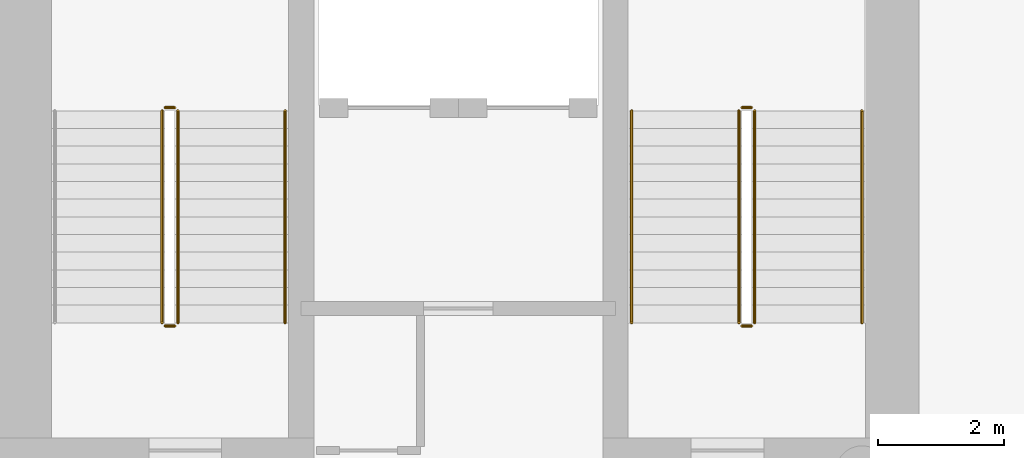
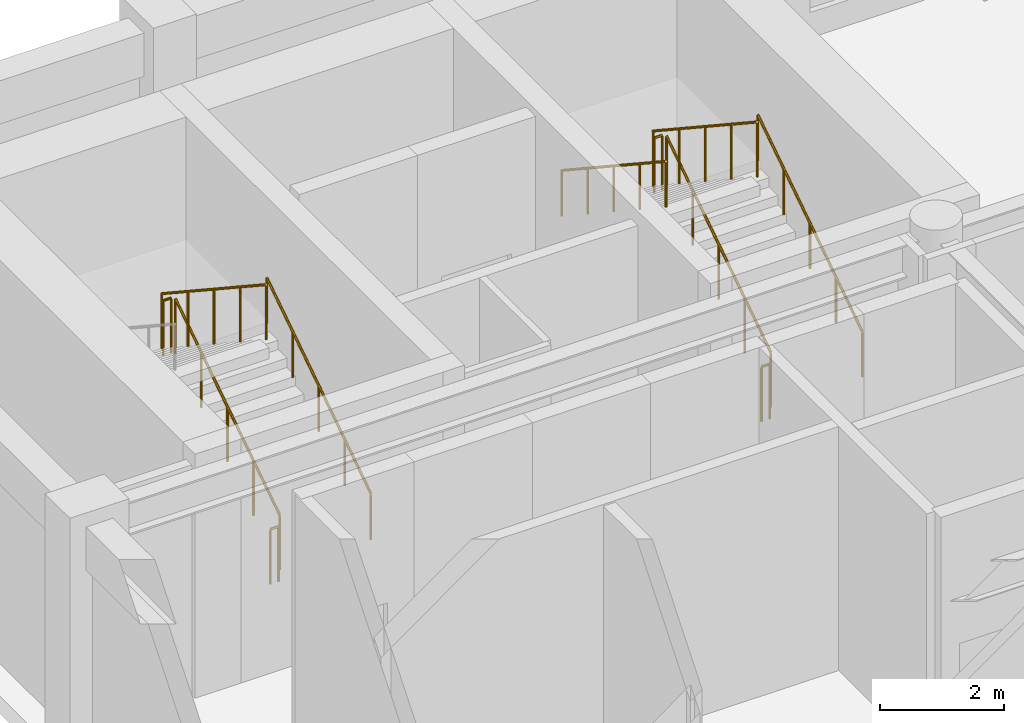
# One storey, part 9 of 10: 11 railings.
"""IFC4 building model written with IfcOpenShell, lengths in metres."""

from ifc_helpers import new_model, si_unit, direction, frame, origin, origin_2d, place, context, subcontext, project, spatial, circle, extrude, material, type_object, element, save


model = new_model("IFC4")

# Units and contexts
model_context = context("Model", 3, precision=1e-05, world=origin(), true_north=direction((0.0, 1.0)))
body_context = subcontext(model_context, "Body", "Model", "MODEL_VIEW")
ifc_project = project(units=[si_unit("LENGTHUNIT", "METRE"), si_unit("AREAUNIT", "SQUARE_METRE"), si_unit("VOLUMEUNIT", "CUBIC_METRE"), si_unit("PLANEANGLEUNIT", "RADIAN"), si_unit("MASSUNIT", "GRAM", prefix="KILO")], contexts=[model_context])

# Site, building, storey
site_placement = place(None, origin())
site = spatial("IfcSite", under=ifc_project, at=site_placement, CompositionType="ELEMENT")
building_placement = place(site_placement, origin())
building = spatial("IfcBuilding", under=site, at=building_placement, Name="Sulina Concourse Tower", CompositionType="ELEMENT")
storey_placement = place(building_placement, frame((0.0, 0.0, 165.800048828125)))
storey = spatial("IfcBuildingStorey", under=building, at=storey_placement, Name="L40", CompositionType="ELEMENT", Elevation=165.800048828125)

# Railings
ifc_material_1 = material(Name="Galvanised steel railing", Category="steel")
railing_type_1 = type_object("IfcRailingType", Name="Core Stair Steel Guardrail 1150mm", PredefinedType="GUARDRAIL", material=ifc_material_1)
railing_1_placement = place(storey_placement, frame((5.554931640625, 36.375, 0.1845703125)))
element("IfcRailing", 1, at=railing_1_placement, inside=storey, type_object=railing_type_1, Name="L40 ST-1 stair guard 1", PredefinedType="GUARDRAIL", context=body_context, shape_type="SweptSolid", body=[
    extrude(circle(Radius=0.02392578125, at=origin_2d()), frame((0.0, 0.0, 1.076171875), z_axis=(0.0, 0.834876476806, 0.550437342915), x_axis=(-1.0, 0.0, 0.0)), (0.0, 0.0, 1.0), 4.024658203125),
    extrude(circle(Radius=0.02099609375, at=origin_2d()), origin(), (0.0, 0.0, 1.0), 1.052001953125),
    extrude(circle(Radius=0.02099609375, at=origin_2d()), frame((0.0, 0.840087890625, 0.5537109375)), (0.0, 0.0, 1.0), 1.052001953125),
    extrude(circle(Radius=0.02099609375, at=origin_2d()), frame((0.0, 1.68017578125, 1.107666015625)), (0.0, 0.0, 1.0), 1.052001953125),
    extrude(circle(Radius=0.02099609375, at=origin_2d()), frame((0.0, 2.52001953125, 1.66162109375)), (0.0, 0.0, 1.0), 1.052001953125),
    extrude(circle(Radius=0.02099609375, at=origin_2d()), frame((0.0, 3.360107421875, 2.21533203125)), (0.0, 0.0, 1.0), 1.052001953125),
])
railing_2_placement = place(storey_placement, frame((5.5048828125, 39.784912109375, 2.39990234375)))
element("IfcRailing", 2, at=railing_2_placement, inside=storey, type_object=railing_type_1, Name="L40 ST-1 stair guard 2", PredefinedType="GUARDRAIL", context=body_context, shape_type="SweptSolid", body=[
    extrude(circle(Radius=0.02392578125, at=origin_2d()), frame((0.0, 0.0, 1.076171875), z_axis=(-1.0, 0.0, 0.0), x_axis=(0.0, -1.0, 0.0)), (0.0, 0.0, 1.0), 0.14990234375),
    extrude(circle(Radius=0.02099609375, at=origin_2d()), origin(), (0.0, 0.0, 1.0), 1.052001953125),
    extrude(circle(Radius=0.02099609375, at=origin_2d()), frame((-0.14990234375, 0.0, 0.0)), (0.0, 0.0, 1.0), 1.052001953125),
])
railing_3_placement = place(storey_placement, frame((5.304931640625, 39.735107421875, 2.58447265625)))
element("IfcRailing", 3, at=railing_3_placement, inside=storey, type_object=railing_type_1, Name="L40 ST-1 stair guard 3", PredefinedType="GUARDRAIL", context=body_context, shape_type="SweptSolid", body=[
    extrude(circle(Radius=0.02392578125, at=origin_2d()), frame((0.0, 0.0, 1.076171875), z_axis=(0.0, -0.834848600103, 0.550479622607), x_axis=(1.0, 0.0, 0.0)), (0.0, 0.0, 1.0), 4.02490234375),
    extrude(circle(Radius=0.02099609375, at=origin_2d()), origin(), (0.0, 0.0, 1.0), 1.052001953125),
    extrude(circle(Radius=0.02099609375, at=origin_2d()), frame((0.0, -0.840087890625, 0.553955078125)), (0.0, 0.0, 1.0), 1.052001953125),
    extrude(circle(Radius=0.02099609375, at=origin_2d()), frame((0.0, -1.68017578125, 1.10791015625)), (0.0, 0.0, 1.0), 1.052001953125),
    extrude(circle(Radius=0.02099609375, at=origin_2d()), frame((0.0, -2.52001953125, 1.66162109375)), (0.0, 0.0, 1.0), 1.052001953125),
    extrude(circle(Radius=0.02099609375, at=origin_2d()), frame((0.0, -3.360107421875, 2.215576171875)), (0.0, 0.0, 1.0), 1.052001953125),
])
railing_4_placement = place(storey_placement, frame((5.5048828125, 36.324951171875, 0.0)))
element("IfcRailing", 4, at=railing_4_placement, inside=storey, type_object=railing_type_1, Name="L40 ST-1 stair guard 4", PredefinedType="GUARDRAIL", context=body_context, shape_type="SweptSolid", body=[
    extrude(circle(Radius=0.02392578125, at=origin_2d()), frame((0.0, 0.0, 1.076171875), z_axis=(-1.0, 0.0, 0.0), x_axis=(0.0, -1.0, 0.0)), (0.0, 0.0, 1.0), 0.14990234375),
    extrude(circle(Radius=0.02099609375, at=origin_2d()), origin(), (0.0, 0.0, 1.0), 1.052001953125),
    extrude(circle(Radius=0.02099609375, at=origin_2d()), frame((-0.14990234375, 0.0, 0.0)), (0.0, 0.0, 1.0), 1.052001953125),
])
railing_5_placement = place(storey_placement, frame((14.695068359375, 36.375, 0.1845703125)))
element("IfcRailing", 5, at=railing_5_placement, inside=storey, type_object=railing_type_1, Name="L40 ST-2 stair guard 1", PredefinedType="GUARDRAIL", context=body_context, shape_type="SweptSolid", body=[
    extrude(circle(Radius=0.02392578125, at=origin_2d()), frame((0.0, 0.0, 1.076171875), z_axis=(0.0, 0.834876476806, 0.550437342915), x_axis=(-1.0, 0.0, 0.0)), (0.0, 0.0, 1.0), 4.024658203125),
    extrude(circle(Radius=0.02099609375, at=origin_2d()), origin(), (0.0, 0.0, 1.0), 1.052001953125),
    extrude(circle(Radius=0.02099609375, at=origin_2d()), frame((0.0, 0.840087890625, 0.5537109375)), (0.0, 0.0, 1.0), 1.052001953125),
    extrude(circle(Radius=0.02099609375, at=origin_2d()), frame((0.0, 1.68017578125, 1.107666015625)), (0.0, 0.0, 1.0), 1.052001953125),
    extrude(circle(Radius=0.02099609375, at=origin_2d()), frame((0.0, 2.52001953125, 1.66162109375)), (0.0, 0.0, 1.0), 1.052001953125),
    extrude(circle(Radius=0.02099609375, at=origin_2d()), frame((0.0, 3.360107421875, 2.21533203125)), (0.0, 0.0, 1.0), 1.052001953125),
])
railing_6_placement = place(storey_placement, frame((14.64501953125, 39.784912109375, 2.39990234375)))
element("IfcRailing", 6, at=railing_6_placement, inside=storey, type_object=railing_type_1, Name="L40 ST-2 stair guard 2", PredefinedType="GUARDRAIL", context=body_context, shape_type="SweptSolid", body=[
    extrude(circle(Radius=0.02392578125, at=origin_2d()), frame((0.0, 0.0, 1.076171875), z_axis=(-1.0, 0.0, 0.0), x_axis=(0.0, -1.0, 0.0)), (0.0, 0.0, 1.0), 0.14990234375),
    extrude(circle(Radius=0.02099609375, at=origin_2d()), origin(), (0.0, 0.0, 1.0), 1.052001953125),
    extrude(circle(Radius=0.02099609375, at=origin_2d()), frame((-0.14990234375, 0.0, 0.0)), (0.0, 0.0, 1.0), 1.052001953125),
])
railing_7_placement = place(storey_placement, frame((14.445068359375, 39.735107421875, 2.58447265625)))
element("IfcRailing", 7, at=railing_7_placement, inside=storey, type_object=railing_type_1, Name="L40 ST-2 stair guard 3", PredefinedType="GUARDRAIL", context=body_context, shape_type="SweptSolid", body=[
    extrude(circle(Radius=0.02392578125, at=origin_2d()), frame((0.0, 0.0, 1.076171875), z_axis=(0.0, -0.834848600103, 0.550479622607), x_axis=(1.0, 0.0, 0.0)), (0.0, 0.0, 1.0), 4.02490234375),
    extrude(circle(Radius=0.02099609375, at=origin_2d()), origin(), (0.0, 0.0, 1.0), 1.052001953125),
    extrude(circle(Radius=0.02099609375, at=origin_2d()), frame((0.0, -0.840087890625, 0.553955078125)), (0.0, 0.0, 1.0), 1.052001953125),
    extrude(circle(Radius=0.02099609375, at=origin_2d()), frame((0.0, -1.68017578125, 1.10791015625)), (0.0, 0.0, 1.0), 1.052001953125),
    extrude(circle(Radius=0.02099609375, at=origin_2d()), frame((0.0, -2.52001953125, 1.66162109375)), (0.0, 0.0, 1.0), 1.052001953125),
    extrude(circle(Radius=0.02099609375, at=origin_2d()), frame((0.0, -3.360107421875, 2.215576171875)), (0.0, 0.0, 1.0), 1.052001953125),
])
railing_8_placement = place(storey_placement, frame((14.64501953125, 36.324951171875, 0.0)))
element("IfcRailing", 8, at=railing_8_placement, inside=storey, type_object=railing_type_1, Name="L40 ST-2 stair guard 4", PredefinedType="GUARDRAIL", context=body_context, shape_type="SweptSolid", body=[
    extrude(circle(Radius=0.02392578125, at=origin_2d()), frame((0.0, 0.0, 1.076171875), z_axis=(-1.0, 0.0, 0.0), x_axis=(0.0, -1.0, 0.0)), (0.0, 0.0, 1.0), 0.14990234375),
    extrude(circle(Radius=0.02099609375, at=origin_2d()), origin(), (0.0, 0.0, 1.0), 1.052001953125),
    extrude(circle(Radius=0.02099609375, at=origin_2d()), frame((-0.14990234375, 0.0, 0.0)), (0.0, 0.0, 1.0), 1.052001953125),
])
ifc_material_2 = material(Name="Galvanised steel railing", Category="steel")
railing_type_2 = type_object("IfcRailingType", Name="Stair Wall Steel Handrail 920mm", PredefinedType="HANDRAIL", material=ifc_material_2)
for number, where, name in (
    (9, (7.2548828125, 36.375, 0.1845703125), "L40 ST-1 stair handrail 1"),
    (10, (16.39501953125, 36.375, 0.1845703125), "L40 ST-2 stair handrail 1"),
):
    element("IfcRailing", number, at=place(storey_placement, frame(where)), inside=storey, type_object=railing_type_2, Name=name, PredefinedType="HANDRAIL", context=body_context, shape_type="SweptSolid", body=[
        extrude(circle(Radius=0.02392578125, at=origin_2d()), frame((0.0, 0.0, 0.89599609375), z_axis=(0.0, 0.834876476806, 0.550437342915), x_axis=(-1.0, 0.0, 0.0)), (0.0, 0.0, 1.0), 4.024658203125),
        extrude(circle(Radius=0.02099609375, at=origin_2d()), origin(), (0.0, 0.0, 1.0), 0.871826171875),
        extrude(circle(Radius=0.02099609375, at=origin_2d()), frame((0.0, 0.840087890625, 0.5537109375)), (0.0, 0.0, 1.0), 0.871826171875),
        extrude(circle(Radius=0.02099609375, at=origin_2d()), frame((0.0, 1.68017578125, 1.107666015625)), (0.0, 0.0, 1.0), 0.871826171875),
        extrude(circle(Radius=0.02099609375, at=origin_2d()), frame((0.0, 2.52001953125, 1.66162109375)), (0.0, 0.0, 1.0), 0.871826171875),
        extrude(circle(Radius=0.02099609375, at=origin_2d()), frame((0.0, 3.360107421875, 2.21533203125)), (0.0, 0.0, 1.0), 0.871826171875),
    ])
railing_9_placement = place(storey_placement, frame((12.7451171875, 39.735107421875, 2.58447265625)))
element("IfcRailing", 11, at=railing_9_placement, inside=storey, type_object=railing_type_2, Name="L40 ST-2 stair handrail 2", PredefinedType="HANDRAIL", context=body_context, shape_type="SweptSolid", body=[
    extrude(circle(Radius=0.02392578125, at=origin_2d()), frame((0.0, 0.0, 0.89599609375), z_axis=(0.0, -0.834848600103, 0.550479622607), x_axis=(1.0, 0.0, 0.0)), (0.0, 0.0, 1.0), 4.02490234375),
    extrude(circle(Radius=0.02099609375, at=origin_2d()), origin(), (0.0, 0.0, 1.0), 0.871826171875),
    extrude(circle(Radius=0.02099609375, at=origin_2d()), frame((0.0, -0.840087890625, 0.553955078125)), (0.0, 0.0, 1.0), 0.871826171875),
    extrude(circle(Radius=0.02099609375, at=origin_2d()), frame((0.0, -1.68017578125, 1.10791015625)), (0.0, 0.0, 1.0), 0.871826171875),
    extrude(circle(Radius=0.02099609375, at=origin_2d()), frame((0.0, -2.52001953125, 1.66162109375)), (0.0, 0.0, 1.0), 0.871826171875),
    extrude(circle(Radius=0.02099609375, at=origin_2d()), frame((0.0, -3.360107421875, 2.215576171875)), (0.0, 0.0, 1.0), 0.871826171875),
])

save(model, "model.ifc")
